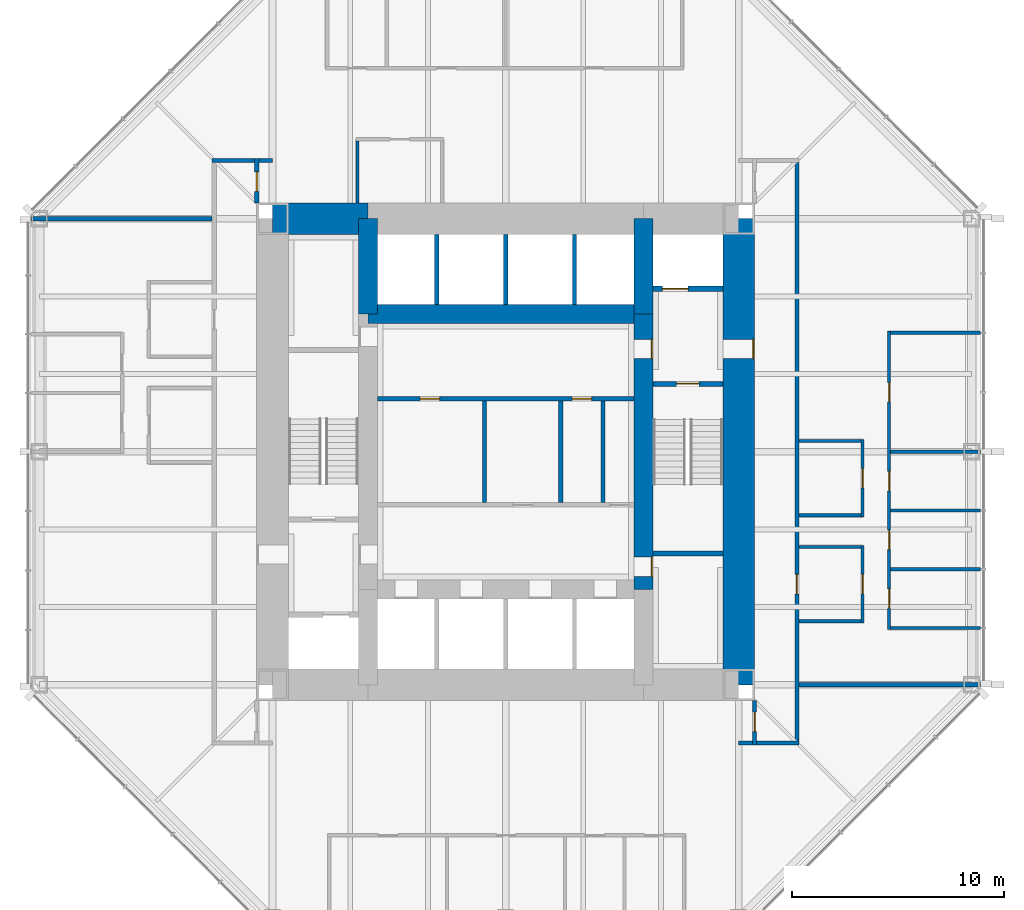
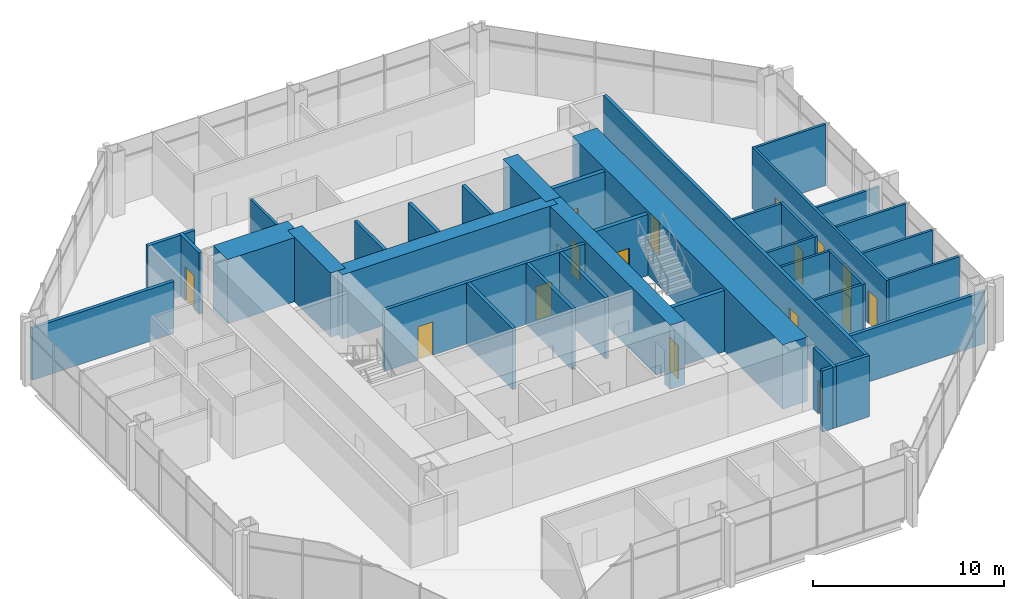
# One storey, part 10 of 12: 36 walls, 16 doors, 16 openings.
"""IFC4 building model written with IfcOpenShell, lengths in metres."""

from ifc_helpers import new_model, si_unit, direction, frame, frame_2d, origin, place, context, subcontext, project, spatial, rectangle, extrude, material, layer, layer_set, type_object, element, fill, save


model = new_model("IFC4")

# Units and contexts
model_context = context("Model", 3, precision=1e-05, world=origin(), true_north=direction((0.0, 1.0)))
body_context = subcontext(model_context, "Body", "Model", "MODEL_VIEW")
ifc_project = project(units=[si_unit("LENGTHUNIT", "METRE"), si_unit("AREAUNIT", "SQUARE_METRE"), si_unit("VOLUMEUNIT", "CUBIC_METRE"), si_unit("PLANEANGLEUNIT", "RADIAN"), si_unit("MASSUNIT", "GRAM", prefix="KILO")], contexts=[model_context])

# Site, building, storey
site_placement = place(None, origin())
site = spatial("IfcSite", under=ifc_project, at=site_placement, CompositionType="ELEMENT")
building_placement = place(site_placement, origin())
building = spatial("IfcBuilding", under=site, at=building_placement, Name="Trevanion Tower", CompositionType="ELEMENT")
storey_placement = place(building_placement, frame((0.0, 0.0, 141.800048828125)))
storey = spatial("IfcBuildingStorey", under=building, at=storey_placement, Name="L33", CompositionType="ELEMENT", Elevation=141.800048828125)

# Wall, opening, door
ifc_material_1 = material(Name="Concrete 10,000 psi", Category="concrete")
ifc_layer_1 = layer(ifc_material_1, 1.5)
ifc_layer_set_1 = layer_set([ifc_layer_1], Name="CW1 core wall 1500")
wall_type_1 = type_object("IfcWallType", Name="CW1 core wall 1500", PredefinedType="SHEAR", material=ifc_layer_set_1)
wall_1_placement = place(storey_placement, frame((11.0, -11.0, 0.0), z_axis=(0.0, 0.0, 1.0), x_axis=(0.0, 1.0, 0.0)))
wall_1 = element("IfcWall", 1, at=wall_1_placement, inside=storey, type_object=wall_type_1, Name="CW1 CE L33", PredefinedType="SHEAR", context=body_context, shape_type="SweptSolid", body=[
    extrude(rectangle(XDim=22.0, YDim=1.5, at=frame_2d((11.0, 0.0))), origin(), (0.0, 0.0, 1.0), 4.099853515625),
])
opening_1_placement = place(wall_1_placement, frame((15.392578125, 0.0, 0.0)))
opening_1 = element("IfcOpeningElement", 2, at=opening_1_placement, cuts=wall_1, Name="Opening 33-001", PredefinedType="OPENING", context=body_context, shape_type="SweptSolid", body=[
    extrude(rectangle(XDim=0.9150390625, YDim=2.134033203125, at=frame_2d((0.45751953125, 1.06689453125))), frame((0.0, 0.760009765625, 0.0), z_axis=(0.0, -1.0, 0.0), x_axis=(1.0, 0.0, 0.0)), (0.0, 0.0, 1.0), 1.52001953125),
])
ifc_material_2 = material(Name="Hollow metal, fire rated", Category="steel")
door_type_1 = type_object("IfcDoorType", Name="D3 fire lift lobby door", OperationType="SINGLE_SWING_RIGHT", PredefinedType="DOOR", material=ifc_material_2)
door_1_placement = place(opening_1_placement, origin())
door_1 = element("IfcDoor", 3, at=door_1_placement, inside=storey, type_object=door_type_1, Name="Door 33-001", OperationType="SINGLE_SWING_RIGHT", OverallHeight=2.134033203125, OverallWidth=0.9150390625, PredefinedType="DOOR", context=body_context, shape_type="SweptSolid", body=[
    extrude(rectangle(XDim=0.9150390625, YDim=2.134033203125, at=frame_2d((0.45751953125, 1.06689453125))), frame((0.0, -0.6748046875, 0.0), z_axis=(0.0, -1.0, 0.0), x_axis=(1.0, 0.0, 0.0)), (0.0, 0.0, 1.0), 0.050048828125),
])
fill(opening_1, door_1)

# Wall
wall_2_placement = place(storey_placement, frame((-6.5, 11.0, 0.0), z_axis=(0.0, 0.0, 1.0), x_axis=(-1.0, 0.0, 0.0)))
element("IfcWall", 4, at=wall_2_placement, inside=storey, type_object=wall_type_1, Name="CW1 CN3 L33", PredefinedType="SHEAR", context=body_context, shape_type="SweptSolid", body=[
    extrude(rectangle(XDim=4.5, YDim=1.5, at=frame_2d((2.25, 0.0))), origin(), (0.0, 0.0, 1.0), 4.099853515625),
])

# Wall, openings, doors
ifc_material_3 = material(Name="Concrete 10,000 psi", Category="concrete")
ifc_layer_2 = layer(ifc_material_3, 0.89990234375)
ifc_layer_set_2 = layer_set([ifc_layer_2], Name="CW2 core wall 900")
wall_type_2 = type_object("IfcWallType", Name="CW2 core wall 900", PredefinedType="SHEAR", material=ifc_layer_set_2)
wall_3_placement = place(storey_placement, frame((6.5, -6.5, 0.0), z_axis=(0.0, 0.0, 1.0), x_axis=(0.0, 1.0, 0.0)))
wall_3 = element("IfcWall", 5, at=wall_3_placement, inside=storey, type_object=wall_type_2, Name="CW2 RE2 L33", PredefinedType="SHEAR", context=body_context, shape_type="SweptSolid", body=[
    extrude(rectangle(XDim=13.0, YDim=0.89990234375, at=frame_2d((6.5, 0.0))), origin(), (0.0, 0.0, 1.0), 4.099853515625),
])
opening_2_placement = place(wall_3_placement, frame((10.892578125, 0.0, 0.0)))
opening_2 = element("IfcOpeningElement", 6, at=opening_2_placement, cuts=wall_3, Name="Opening 33-003", PredefinedType="OPENING", context=body_context, shape_type="SweptSolid", body=[
    extrude(rectangle(XDim=0.9150390625, YDim=2.134033203125, at=frame_2d((0.45751953125, 1.06689453125))), frame((0.0, 0.4599609375, 0.0), z_axis=(0.0, -1.0, 0.0), x_axis=(1.0, 0.0, 0.0)), (0.0, 0.0, 1.0), 0.919921875),
])
opening_3_placement = place(wall_3_placement, frame((0.610107421875, 0.0, 0.0)))
opening_3 = element("IfcOpeningElement", 7, at=opening_3_placement, cuts=wall_3, Name="Opening 33-009", PredefinedType="OPENING", context=body_context, shape_type="SweptSolid", body=[
    extrude(rectangle(XDim=0.9150390625, YDim=2.134033203125, at=frame_2d((0.45751953125, 1.06689453125))), frame((0.0, 0.4599609375, 0.0), z_axis=(0.0, -1.0, 0.0), x_axis=(1.0, 0.0, 0.0)), (0.0, 0.0, 1.0), 0.919921875),
])
door_2_placement = place(opening_2_placement, origin())
door_2 = element("IfcDoor", 8, at=door_2_placement, inside=storey, type_object=door_type_1, Name="Door 33-003", OperationType="SINGLE_SWING_RIGHT", OverallHeight=2.134033203125, OverallWidth=0.9150390625, PredefinedType="DOOR", context=body_context, shape_type="SweptSolid", body=[
    extrude(rectangle(XDim=0.9150390625, YDim=2.134033203125, at=frame_2d((0.45751953125, 1.06689453125))), frame((0.0, -0.375, 0.0), z_axis=(0.0, -1.0, 0.0), x_axis=(1.0, 0.0, 0.0)), (0.0, 0.0, 1.0), 0.050048828125),
])
fill(opening_2, door_2)
ifc_material_4 = material(Name="Hollow metal, fire rated", Category="steel")
door_type_2 = type_object("IfcDoorType", Name="D5 service room door", OperationType="SINGLE_SWING_RIGHT", PredefinedType="DOOR", material=ifc_material_4)
door_3_placement = place(opening_3_placement, origin())
door_3 = element("IfcDoor", 9, at=door_3_placement, inside=storey, type_object=door_type_2, Name="Door 33-009", OperationType="SINGLE_SWING_RIGHT", OverallHeight=2.134033203125, OverallWidth=0.9150390625, PredefinedType="DOOR", context=body_context, shape_type="SweptSolid", body=[
    extrude(rectangle(XDim=0.9150390625, YDim=2.134033203125, at=frame_2d((0.45751953125, 1.06689453125))), frame((0.0, -0.375, 0.0), z_axis=(0.0, -1.0, 0.0), x_axis=(1.0, 0.0, 0.0)), (0.0, 0.0, 1.0), 0.050048828125),
])
fill(opening_3, door_3)

# Walls
for number, where, z_axis, x_axis, name in (
    (10, (6.5, 6.5, 0.0), (0.0, 0.0, 1.0), (0.0, 1.0, 0.0), "CW2 RE3 L33"),
    (11, (-6.5, 11.0, 0.0), (0.0, 0.0, 1.0), (0.0, -1.0, 0.0), "CW2 RW1 L33"),
):
    element("IfcWall", number, at=place(storey_placement, frame(where, z_axis=z_axis, x_axis=x_axis)), inside=storey, type_object=wall_type_2, Name=name, PredefinedType="SHEAR", context=body_context, shape_type="SweptSolid", body=[
        extrude(rectangle(XDim=4.5, YDim=0.89990234375, at=frame_2d((2.25, 0.0))), origin(), (0.0, 0.0, 1.0), 4.099853515625),
    ])
wall_4_placement = place(storey_placement, frame((6.5, 6.5, 0.0), z_axis=(0.0, 0.0, 1.0), x_axis=(-1.0, 0.0, 0.0)))
element("IfcWall", 12, at=wall_4_placement, inside=storey, type_object=wall_type_2, Name="CW2 RN L33", PredefinedType="SHEAR", context=body_context, shape_type="SweptSolid", body=[
    extrude(rectangle(XDim=13.0, YDim=0.89990234375, at=frame_2d((6.5, 0.0))), origin(), (0.0, 0.0, 1.0), 4.099853515625),
])

# Wall, openings, doors
ifc_material_5 = material(Name="Gypsum board on steel studs", Category="steel")
ifc_layer_3 = layer(ifc_material_5, 0.14990234375)
ifc_layer_set_3 = layer_set([ifc_layer_3], Name="PT1 partition 150")
wall_type_3 = type_object("IfcWallType", Name="PT1 partition 150", PredefinedType="PARTITIONING", material=ifc_layer_set_3)
wall_5_placement = place(storey_placement, frame((18.10009765625, -8.39794921875, 0.0), z_axis=(0.0, 0.0, 1.0), x_axis=(0.0, 1.0, 0.0)))
wall_5 = element("IfcWall", 13, at=wall_5_placement, inside=storey, type_object=wall_type_3, Name="PT1 L33 FC0F", PredefinedType="PARTITIONING", context=body_context, shape_type="SweptSolid", body=[
    extrude(rectangle(XDim=14.0869140625, YDim=0.14990234375, at=frame_2d((7.04345703125, 0.0))), origin(), (0.0, 0.0, 1.0), 3.909912109375),
])
opening_4_placement = place(wall_5_placement, frame((1.00439453125, 0.0, 0.0)))
opening_4 = element("IfcOpeningElement", 14, at=opening_4_placement, cuts=wall_5, Name="Opening 33-030", PredefinedType="OPENING", context=body_context, shape_type="SweptSolid", body=[
    extrude(rectangle(XDim=0.9150390625, YDim=2.134033203125, at=frame_2d((0.45751953125, 1.06689453125))), frame((0.0, 0.0849609375, 0.0), z_axis=(0.0, -1.0, 0.0), x_axis=(1.0, 0.0, 0.0)), (0.0, 0.0, 1.0), 0.169921875),
])
opening_5_placement = place(wall_5_placement, frame((3.778564453125, 0.0, 0.0)))
opening_5 = element("IfcOpeningElement", 15, at=opening_5_placement, cuts=wall_5, Name="Opening 33-031", PredefinedType="OPENING", context=body_context, shape_type="SweptSolid", body=[
    extrude(rectangle(XDim=0.9150390625, YDim=2.134033203125, at=frame_2d((0.45751953125, 1.06689453125))), frame((0.0, 0.0849609375, 0.0), z_axis=(0.0, -1.0, 0.0), x_axis=(1.0, 0.0, 0.0)), (0.0, 0.0, 1.0), 0.169921875),
])
opening_6_placement = place(wall_5_placement, frame((6.552978515625, 0.0, 0.0)))
opening_6 = element("IfcOpeningElement", 16, at=opening_6_placement, cuts=wall_5, Name="Opening 33-032", PredefinedType="OPENING", context=body_context, shape_type="SweptSolid", body=[
    extrude(rectangle(XDim=0.9150390625, YDim=2.134033203125, at=frame_2d((0.45751953125, 1.06689453125))), frame((0.0, 0.0849609375, 0.0), z_axis=(0.0, -1.0, 0.0), x_axis=(1.0, 0.0, 0.0)), (0.0, 0.0, 1.0), 0.169921875),
])
opening_7_placement = place(wall_5_placement, frame((10.74755859375, 0.0, 0.0)))
opening_7 = element("IfcOpeningElement", 17, at=opening_7_placement, cuts=wall_5, Name="Opening 33-033", PredefinedType="OPENING", context=body_context, shape_type="SweptSolid", body=[
    extrude(rectangle(XDim=0.9150390625, YDim=2.134033203125, at=frame_2d((0.45751953125, 1.06689453125))), frame((0.0, 0.0849609375, 0.0), z_axis=(0.0, -1.0, 0.0), x_axis=(1.0, 0.0, 0.0)), (0.0, 0.0, 1.0), 0.169921875),
])
ifc_material_6 = material(Name="Timber veneer, solid core", Category="wood")
door_type_3 = type_object("IfcDoorType", Name="D1 office and meeting room door", OperationType="SINGLE_SWING_LEFT", PredefinedType="DOOR", material=ifc_material_6)
door_4_placement = place(opening_4_placement, origin())
door_4 = element("IfcDoor", 18, at=door_4_placement, inside=storey, type_object=door_type_3, Name="Door 33-030", OperationType="SINGLE_SWING_LEFT", OverallHeight=2.134033203125, OverallWidth=0.9150390625, PredefinedType="DOOR", context=body_context, shape_type="SweptSolid", body=[
    extrude(rectangle(XDim=0.9150390625, YDim=2.134033203125, at=frame_2d((0.45751953125, 1.06689453125))), frame((0.0, 0.02490234375, 0.0), z_axis=(0.0, -1.0, 0.0), x_axis=(1.0, 0.0, 0.0)), (0.0, 0.0, 1.0), 0.050048828125),
])
fill(opening_4, door_4)
door_5_placement = place(opening_5_placement, origin())
door_5 = element("IfcDoor", 19, at=door_5_placement, inside=storey, type_object=door_type_3, Name="Door 33-031", OperationType="SINGLE_SWING_LEFT", OverallHeight=2.134033203125, OverallWidth=0.9150390625, PredefinedType="DOOR", context=body_context, shape_type="SweptSolid", body=[
    extrude(rectangle(XDim=0.9150390625, YDim=2.134033203125, at=frame_2d((0.45751953125, 1.06689453125))), frame((0.0, 0.02490234375, 0.0), z_axis=(0.0, -1.0, 0.0), x_axis=(1.0, 0.0, 0.0)), (0.0, 0.0, 1.0), 0.050048828125),
])
fill(opening_5, door_5)
door_6_placement = place(opening_6_placement, origin())
door_6 = element("IfcDoor", 20, at=door_6_placement, inside=storey, type_object=door_type_3, Name="Door 33-032", OperationType="SINGLE_SWING_LEFT", OverallHeight=2.134033203125, OverallWidth=0.9150390625, PredefinedType="DOOR", context=body_context, shape_type="SweptSolid", body=[
    extrude(rectangle(XDim=0.9150390625, YDim=2.134033203125, at=frame_2d((0.45751953125, 1.06689453125))), frame((0.0, 0.02490234375, 0.0), z_axis=(0.0, -1.0, 0.0), x_axis=(1.0, 0.0, 0.0)), (0.0, 0.0, 1.0), 0.050048828125),
])
fill(opening_6, door_6)
door_7_placement = place(opening_7_placement, origin())
door_7 = element("IfcDoor", 21, at=door_7_placement, inside=storey, type_object=door_type_3, Name="Door 33-033", OperationType="SINGLE_SWING_LEFT", OverallHeight=2.134033203125, OverallWidth=0.9150390625, PredefinedType="DOOR", context=body_context, shape_type="SweptSolid", body=[
    extrude(rectangle(XDim=0.9150390625, YDim=2.134033203125, at=frame_2d((0.45751953125, 1.06689453125))), frame((0.0, 0.02490234375, 0.0), z_axis=(0.0, -1.0, 0.0), x_axis=(1.0, 0.0, 0.0)), (0.0, 0.0, 1.0), 0.050048828125),
])
fill(opening_7, door_7)

# Walls
for number, where, z_axis, x_axis, name in (
    (22, (18.175048828125, -8.322998046875, 0.0), (0.0, 0.0, 1.0), (1.0, 0.0, 0.0), "PT1 L33 FC0S0"),
    (23, (18.175048828125, -5.549072265625, 0.0), (0.0, 0.0, 1.0), (1.0, 0.0, 0.0), "PT1 L33 FC0S1"),
    (24, (18.175048828125, -2.77490234375, 0.0), (0.0, 0.0, 1.0), (1.0, 0.0, 0.0), "PT1 L33 FC0S2"),
):
    element("IfcWall", number, at=place(storey_placement, frame(where, z_axis=z_axis, x_axis=x_axis)), inside=storey, type_object=wall_type_3, Name=name, PredefinedType="PARTITIONING", context=body_context, shape_type="SweptSolid", body=[
        extrude(rectangle(XDim=4.239990234375, YDim=0.14990234375, at=frame_2d((2.1201171875, 0.0))), origin(), (0.0, 0.0, 1.0), 3.909912109375),
    ])
wall_6_placement = place(storey_placement, frame((18.175048828125, 0.0, 0.0), z_axis=(0.0, 0.0, 1.0), x_axis=(1.0, 0.0, 0.0)))
element("IfcWall", 25, at=wall_6_placement, inside=storey, type_object=wall_type_3, Name="PT1 L33 FC0S3", PredefinedType="PARTITIONING", context=body_context, shape_type="SweptSolid", body=[
    extrude(rectangle(XDim=4.239990234375, YDim=0.14990234375, at=frame_2d((2.1201171875, 0.0))), origin(), (0.0, 0.0, 1.0), 3.32568359375),
])
wall_7_placement = place(storey_placement, frame((18.175048828125, 5.614013671875, 0.0), z_axis=(0.0, 0.0, 1.0), x_axis=(1.0, 0.0, 0.0)))
element("IfcWall", 26, at=wall_7_placement, inside=storey, type_object=wall_type_3, Name="PT1 L33 FC0S5", PredefinedType="PARTITIONING", context=body_context, shape_type="SweptSolid", body=[
    extrude(rectangle(XDim=4.239990234375, YDim=0.14990234375, at=frame_2d((2.1201171875, 0.0))), origin(), (0.0, 0.0, 1.0), 3.909912109375),
])

# Wall, opening, door
wall_8_placement = place(storey_placement, frame((16.85009765625, -8.074951171875, 0.0), z_axis=(0.0, 0.0, 1.0), x_axis=(0.0, 1.0, 0.0)))
wall_8 = element("IfcWall", 27, at=wall_8_placement, inside=storey, type_object=wall_type_3, Name="PT1 L33 IN00F", PredefinedType="PARTITIONING", context=body_context, shape_type="SweptSolid", body=[
    extrude(rectangle(XDim=3.64990234375, YDim=0.14990234375, at=frame_2d((1.824951171875, 0.0))), origin(), (0.0, 0.0, 1.0), 3.909912109375),
])
opening_8_placement = place(wall_8_placement, frame((1.367431640625, 0.0, 0.0)))
opening_8 = element("IfcOpeningElement", 28, at=opening_8_placement, cuts=wall_8, Name="Opening 33-036", PredefinedType="OPENING", context=body_context, shape_type="SweptSolid", body=[
    extrude(rectangle(XDim=0.9150390625, YDim=2.134033203125, at=frame_2d((0.45751953125, 1.06689453125))), frame((0.0, 0.0849609375, 0.0), z_axis=(0.0, -1.0, 0.0), x_axis=(1.0, 0.0, 0.0)), (0.0, 0.0, 1.0), 0.169921875),
])
door_8_placement = place(opening_8_placement, origin())
door_8 = element("IfcDoor", 29, at=door_8_placement, inside=storey, type_object=door_type_3, Name="Door 33-036", OperationType="SINGLE_SWING_LEFT", OverallHeight=2.134033203125, OverallWidth=0.9150390625, PredefinedType="DOOR", context=body_context, shape_type="SweptSolid", body=[
    extrude(rectangle(XDim=0.9150390625, YDim=2.134033203125, at=frame_2d((0.45751953125, 1.06689453125))), frame((0.0, 0.02490234375, 0.0), z_axis=(0.0, -1.0, 0.0), x_axis=(1.0, 0.0, 0.0)), (0.0, 0.0, 1.0), 0.050048828125),
])
fill(opening_8, door_8)

# Walls
for number, where, z_axis, x_axis, name in (
    (30, (16.77490234375, -8.0, 0.0), (0.0, 0.0, 1.0), (-1.0, 0.0, 0.0), "PT1 L33 IN00S0"),
    (31, (16.77490234375, -4.5, 0.0), (0.0, 0.0, 1.0), (-1.0, 0.0, 0.0), "PT1 L33 IN00S1"),
):
    element("IfcWall", number, at=place(storey_placement, frame(where, z_axis=z_axis, x_axis=x_axis)), inside=storey, type_object=wall_type_3, Name=name, PredefinedType="PARTITIONING", context=body_context, shape_type="SweptSolid", body=[
        extrude(rectangle(XDim=2.9248046875, YDim=0.14990234375, at=frame_2d((1.46240234375, 0.0))), origin(), (0.0, 0.0, 1.0), 3.909912109375),
    ])

# Wall, opening, door
wall_9_placement = place(storey_placement, frame((16.85009765625, -3.074951171875, 0.0), z_axis=(0.0, 0.0, 1.0), x_axis=(0.0, 1.0, 0.0)))
wall_9 = element("IfcWall", 32, at=wall_9_placement, inside=storey, type_object=wall_type_3, Name="PT1 L33 IN01F", PredefinedType="PARTITIONING", context=body_context, shape_type="SweptSolid", body=[
    extrude(rectangle(XDim=3.64990234375, YDim=0.14990234375, at=frame_2d((1.824951171875, 0.0))), origin(), (0.0, 0.0, 1.0), 3.909912109375),
])
opening_9_placement = place(wall_9_placement, frame((1.367431640625, 0.0, 0.0)))
opening_9 = element("IfcOpeningElement", 33, at=opening_9_placement, cuts=wall_9, Name="Opening 33-038", PredefinedType="OPENING", context=body_context, shape_type="SweptSolid", body=[
    extrude(rectangle(XDim=0.9150390625, YDim=2.134033203125, at=frame_2d((0.45751953125, 1.06689453125))), frame((0.0, 0.0849609375, 0.0), z_axis=(0.0, -1.0, 0.0), x_axis=(1.0, 0.0, 0.0)), (0.0, 0.0, 1.0), 0.169921875),
])
door_9_placement = place(opening_9_placement, origin())
door_9 = element("IfcDoor", 34, at=door_9_placement, inside=storey, type_object=door_type_3, Name="Door 33-038", OperationType="SINGLE_SWING_LEFT", OverallHeight=2.134033203125, OverallWidth=0.9150390625, PredefinedType="DOOR", context=body_context, shape_type="SweptSolid", body=[
    extrude(rectangle(XDim=0.9150390625, YDim=2.134033203125, at=frame_2d((0.45751953125, 1.06689453125))), frame((0.0, 0.02490234375, 0.0), z_axis=(0.0, -1.0, 0.0), x_axis=(1.0, 0.0, 0.0)), (0.0, 0.0, 1.0), 0.050048828125),
])
fill(opening_9, door_9)

# Walls
for number, where, z_axis, x_axis, name in (
    (35, (16.77490234375, -3.0, 0.0), (0.0, 0.0, 1.0), (-1.0, 0.0, 0.0), "PT1 L33 IN01S0"),
    (36, (16.77490234375, 0.5, 0.0), (0.0, 0.0, 1.0), (-1.0, 0.0, 0.0), "PT1 L33 IN01S1"),
):
    element("IfcWall", number, at=place(storey_placement, frame(where, z_axis=z_axis, x_axis=x_axis)), inside=storey, type_object=wall_type_3, Name=name, PredefinedType="PARTITIONING", context=body_context, shape_type="SweptSolid", body=[
        extrude(rectangle(XDim=2.9248046875, YDim=0.14990234375, at=frame_2d((1.46240234375, 0.0))), origin(), (0.0, 0.0, 1.0), 3.909912109375),
    ])
wall_10_placement = place(storey_placement, frame((-7.0, 14.675048828125, 0.0), z_axis=(0.0, 0.0, 1.0), x_axis=(0.0, -1.0, 0.0)))
element("IfcWall", 37, at=wall_10_placement, inside=storey, type_object=wall_type_3, Name="PT1 L33 IN10S1", PredefinedType="PARTITIONING", context=body_context, shape_type="SweptSolid", body=[
    extrude(rectangle(XDim=2.925048828125, YDim=0.14990234375, at=frame_2d((1.46240234375, 0.0))), origin(), (0.0, 0.0, 1.0), 3.909912109375),
])
ifc_material_7 = material(Name="Concrete masonry, grouted", Category="masonry")
ifc_layer_4 = layer(ifc_material_7, 0.199951171875)
ifc_layer_set_4 = layer_set([ifc_layer_4], Name="PT2 partition 200")
wall_type_4 = type_object("IfcWallType", Name="PT2 partition 200", PredefinedType="PARTITIONING", material=ifc_layer_set_4)
for number, where, z_axis, x_axis, name in (
    (38, (-1.0, -2.39990234375, 0.0), (0.0, 0.0, 1.0), (0.0, 1.0, 0.0), "PT2 L33 TP1"),
    (39, (2.60009765625, -2.39990234375, 0.0), (0.0, 0.0, 1.0), (0.0, 1.0, 0.0), "PT2 L33 TP2"),
    (40, (4.60009765625, -2.39990234375, 0.0), (0.0, 0.0, 1.0), (0.0, 1.0, 0.0), "PT2 L33 TP3"),
):
    element("IfcWall", number, at=place(storey_placement, frame(where, z_axis=z_axis, x_axis=x_axis)), inside=storey, type_object=wall_type_4, Name=name, PredefinedType="PARTITIONING", context=body_context, shape_type="SweptSolid", body=[
        extrude(rectangle(XDim=4.7998046875, YDim=0.199951171875, at=frame_2d((2.39990234375, 0.0))), origin(), (0.0, 0.0, 1.0), 3.909912109375),
    ])

# Wall, openings, doors
ifc_material_8 = material(Name="Concrete masonry, grouted", Category="masonry")
ifc_layer_5 = layer(ifc_material_8, 0.199951171875)
ifc_layer_set_5 = layer_set([ifc_layer_5], Name="PT2 partition 200 1 HR")
wall_type_5 = type_object("IfcWallType", Name="PT2 partition 200 1 HR", PredefinedType="PARTITIONING", material=ifc_layer_set_5)
wall_11_placement = place(storey_placement, frame((-6.050048828125, 2.5, 0.0), z_axis=(0.0, 0.0, 1.0), x_axis=(1.0, 0.0, 0.0)))
wall_11 = element("IfcWall", 41, at=wall_11_placement, inside=storey, type_object=wall_type_5, Name="PT2 L33 CP1", PredefinedType="PARTITIONING", context=body_context, shape_type="SweptSolid", body=[
    extrude(rectangle(XDim=12.10009765625, YDim=0.199951171875, at=frame_2d((6.050048828125, 0.0))), origin(), (0.0, 0.0, 1.0), 3.909912109375),
])
opening_10_placement = place(wall_11_placement, frame((2.017578125, 0.0, 0.0)))
opening_10 = element("IfcOpeningElement", 42, at=opening_10_placement, cuts=wall_11, Name="Opening 33-015", PredefinedType="OPENING", context=body_context, shape_type="SweptSolid", body=[
    extrude(rectangle(XDim=0.9150390625, YDim=2.134033203125, at=frame_2d((0.45751953125, 1.06689453125))), frame((0.0, 0.10986328125, 0.0), z_axis=(0.0, -1.0, 0.0), x_axis=(1.0, 0.0, 0.0)), (0.0, 0.0, 1.0), 0.219970703125),
])
opening_11_placement = place(wall_11_placement, frame((9.1923828125, 0.0, 0.0)))
opening_11 = element("IfcOpeningElement", 43, at=opening_11_placement, cuts=wall_11, Name="Opening 33-017", PredefinedType="OPENING", context=body_context, shape_type="SweptSolid", body=[
    extrude(rectangle(XDim=0.9150390625, YDim=2.134033203125, at=frame_2d((0.45751953125, 1.06689453125))), frame((0.0, 0.10986328125, 0.0), z_axis=(0.0, -1.0, 0.0), x_axis=(1.0, 0.0, 0.0)), (0.0, 0.0, 1.0), 0.219970703125),
])
ifc_material_9 = material(Name="Plastic laminate on fire-rated core", Category="wood")
door_type_4 = type_object("IfcDoorType", Name="D12 toilet door in a one hour wall", OperationType="SINGLE_SWING_LEFT", PredefinedType="DOOR", material=ifc_material_9)
door_10_placement = place(opening_10_placement, origin())
door_10 = element("IfcDoor", 44, at=door_10_placement, inside=storey, type_object=door_type_4, Name="Door 33-015", OperationType="SINGLE_SWING_LEFT", OverallHeight=2.134033203125, OverallWidth=0.9150390625, PredefinedType="DOOR", context=body_context, shape_type="SweptSolid", body=[
    extrude(rectangle(XDim=0.9150390625, YDim=2.134033203125, at=frame_2d((0.45751953125, 1.06689453125))), frame((0.0, 0.02490234375, 0.0), z_axis=(0.0, -1.0, 0.0), x_axis=(1.0, 0.0, 0.0)), (0.0, 0.0, 1.0), 0.050048828125),
])
fill(opening_10, door_10)
door_11_placement = place(opening_11_placement, origin())
door_11 = element("IfcDoor", 45, at=door_11_placement, inside=storey, type_object=door_type_4, Name="Door 33-017", OperationType="SINGLE_SWING_LEFT", OverallHeight=2.134033203125, OverallWidth=0.9150390625, PredefinedType="DOOR", context=body_context, shape_type="SweptSolid", body=[
    extrude(rectangle(XDim=0.9150390625, YDim=2.134033203125, at=frame_2d((0.45751953125, 1.06689453125))), frame((0.0, 0.02490234375, 0.0), z_axis=(0.0, -1.0, 0.0), x_axis=(1.0, 0.0, 0.0)), (0.0, 0.0, 1.0), 0.050048828125),
])
fill(opening_11, door_11)

# Wall, opening, door
wall_12_placement = place(storey_placement, frame((13.75, -13.85009765625, 0.0), z_axis=(0.0, 0.0, 1.0), x_axis=(0.0, 1.0, 0.0)))
wall_12 = element("IfcWall", 46, at=wall_12_placement, inside=storey, type_object=wall_type_5, Name="PT2 L33 OC0", PredefinedType="PARTITIONING", context=body_context, shape_type="SweptSolid", body=[
    extrude(rectangle(XDim=27.5, YDim=0.199951171875, at=frame_2d((13.75, 0.0))), origin(), (0.0, 0.0, 1.0), 3.909912109375),
])
opening_12_placement = place(wall_12_placement, frame((7.142578125, 0.0, 0.0)))
opening_12 = element("IfcOpeningElement", 47, at=opening_12_placement, cuts=wall_12, Name="Opening 33-037", PredefinedType="OPENING", context=body_context, shape_type="SweptSolid", body=[
    extrude(rectangle(XDim=0.9150390625, YDim=2.134033203125, at=frame_2d((0.45751953125, 1.06689453125))), frame((0.0, 0.10986328125, 0.0), z_axis=(0.0, -1.0, 0.0), x_axis=(1.0, 0.0, 0.0)), (0.0, 0.0, 1.0), 0.219970703125),
])
ifc_material_10 = material(Name="Timber veneer, fire rated", Category="wood")
door_type_5 = type_object("IfcDoorType", Name="D10 office door in a one hour wall", OperationType="SINGLE_SWING_LEFT", PredefinedType="DOOR", material=ifc_material_10)
door_12_placement = place(opening_12_placement, origin())
door_12 = element("IfcDoor", 48, at=door_12_placement, inside=storey, type_object=door_type_5, Name="Door 33-037", OperationType="SINGLE_SWING_LEFT", OverallHeight=2.134033203125, OverallWidth=0.9150390625, PredefinedType="DOOR", context=body_context, shape_type="SweptSolid", body=[
    extrude(rectangle(XDim=0.9150390625, YDim=2.134033203125, at=frame_2d((0.45751953125, 1.06689453125))), frame((0.0, 0.02490234375, 0.0), z_axis=(0.0, -1.0, 0.0), x_axis=(1.0, 0.0, 0.0)), (0.0, 0.0, 1.0), 0.050048828125),
])
fill(opening_12, door_12)

wall_13_placement = place(storey_placement, frame((-11.75, 11.75, 0.0), z_axis=(0.0, 0.0, 1.0), x_axis=(0.0, 1.0, 0.0)))
wall_13 = element("IfcWall", 49, at=wall_13_placement, inside=storey, type_object=wall_type_5, Name="PT2 L33 OUNW1", PredefinedType="PARTITIONING", context=body_context, shape_type="SweptSolid", body=[
    extrude(rectangle(XDim=2.10009765625, YDim=0.199951171875, at=frame_2d((1.050048828125, 0.0))), origin(), (0.0, 0.0, 1.0), 3.909912109375),
])
opening_13_placement = place(wall_13_placement, frame((0.54248046875, 0.0, 0.0)))
opening_13 = element("IfcOpeningElement", 50, at=opening_13_placement, cuts=wall_13, Name="Opening 33-020", PredefinedType="OPENING", context=body_context, shape_type="SweptSolid", body=[
    extrude(rectangle(XDim=0.9150390625, YDim=2.134033203125, at=frame_2d((0.45751953125, 1.06689453125))), frame((0.0, 0.10986328125, 0.0), z_axis=(0.0, -1.0, 0.0), x_axis=(1.0, 0.0, 0.0)), (0.0, 0.0, 1.0), 0.219970703125),
])
door_13_placement = place(opening_13_placement, origin())
door_13 = element("IfcDoor", 51, at=door_13_placement, inside=storey, type_object=door_type_5, Name="Door 33-020", OperationType="SINGLE_SWING_LEFT", OverallHeight=2.134033203125, OverallWidth=0.9150390625, PredefinedType="DOOR", context=body_context, shape_type="SweptSolid", body=[
    extrude(rectangle(XDim=0.9150390625, YDim=2.134033203125, at=frame_2d((0.45751953125, 1.06689453125))), frame((0.0, 0.02490234375, 0.0), z_axis=(0.0, -1.0, 0.0), x_axis=(1.0, 0.0, 0.0)), (0.0, 0.0, 1.0), 0.050048828125),
])
fill(opening_13, door_13)

# Wall
wall_14_placement = place(storey_placement, frame((-11.0, 13.75, 0.0), z_axis=(0.0, 0.0, 1.0), x_axis=(-1.0, 0.0, 0.0)))
element("IfcWall", 52, at=wall_14_placement, inside=storey, type_object=wall_type_5, Name="PT2 L33 OUNW2", PredefinedType="PARTITIONING", context=body_context, shape_type="SweptSolid", body=[
    extrude(rectangle(XDim=2.85009765625, YDim=0.199951171875, at=frame_2d((1.425048828125, 0.0))), origin(), (0.0, 0.0, 1.0), 3.909912109375),
])

# Wall, opening, door
wall_15_placement = place(storey_placement, frame((11.75, -11.75, 0.0), z_axis=(0.0, 0.0, 1.0), x_axis=(0.0, -1.0, 0.0)))
wall_15 = element("IfcWall", 53, at=wall_15_placement, inside=storey, type_object=wall_type_5, Name="PT2 L33 OUSE1", PredefinedType="PARTITIONING", context=body_context, shape_type="SweptSolid", body=[
    extrude(rectangle(XDim=2.10009765625, YDim=0.199951171875, at=frame_2d((1.050048828125, 0.0))), origin(), (0.0, 0.0, 1.0), 3.909912109375),
])
opening_14_placement = place(wall_15_placement, frame((0.54248046875, 0.0, 0.0)))
opening_14 = element("IfcOpeningElement", 54, at=opening_14_placement, cuts=wall_15, Name="Opening 33-021", PredefinedType="OPENING", context=body_context, shape_type="SweptSolid", body=[
    extrude(rectangle(XDim=0.9150390625, YDim=2.134033203125, at=frame_2d((0.45751953125, 1.06689453125))), frame((0.0, 0.10986328125, 0.0), z_axis=(0.0, -1.0, 0.0), x_axis=(1.0, 0.0, 0.0)), (0.0, 0.0, 1.0), 0.219970703125),
])
door_14_placement = place(opening_14_placement, origin())
door_14 = element("IfcDoor", 55, at=door_14_placement, inside=storey, type_object=door_type_5, Name="Door 33-021", OperationType="SINGLE_SWING_LEFT", OverallHeight=2.134033203125, OverallWidth=0.9150390625, PredefinedType="DOOR", context=body_context, shape_type="SweptSolid", body=[
    extrude(rectangle(XDim=0.9150390625, YDim=2.134033203125, at=frame_2d((0.45751953125, 1.06689453125))), frame((0.0, 0.02490234375, 0.0), z_axis=(0.0, -1.0, 0.0), x_axis=(1.0, 0.0, 0.0)), (0.0, 0.0, 1.0), 0.050048828125),
])
fill(opening_14, door_14)

# Walls
wall_16_placement = place(storey_placement, frame((11.0, -13.75, 0.0), z_axis=(0.0, 0.0, 1.0), x_axis=(1.0, 0.0, 0.0)))
element("IfcWall", 56, at=wall_16_placement, inside=storey, type_object=wall_type_5, Name="PT2 L33 OUSE2", PredefinedType="PARTITIONING", context=body_context, shape_type="SweptSolid", body=[
    extrude(rectangle(XDim=2.85009765625, YDim=0.199951171875, at=frame_2d((1.425048828125, 0.0))), origin(), (0.0, 0.0, 1.0), 3.909912109375),
])
for number, where, z_axis, x_axis, name in (
    (57, (-13.85009765625, 11.0, 0.0), (0.0, 0.0, 1.0), (-1.0, 0.0, 0.0), "PT2 L33 DM1"),
    (58, (13.85009765625, -11.0, 0.0), (0.0, 0.0, 1.0), (1.0, 0.0, 0.0), "PT2 L33 DM3"),
):
    element("IfcWall", number, at=place(storey_placement, frame(where, z_axis=z_axis, x_axis=x_axis)), inside=storey, type_object=wall_type_5, Name=name, PredefinedType="PARTITIONING", context=body_context, shape_type="SweptSolid", body=[
        extrude(rectangle(XDim=8.56494140625, YDim=0.199951171875, at=frame_2d((4.282470703125, 0.0))), origin(), (0.0, 0.0, 1.0), 3.32568359375),
    ])
ifc_material_11 = material(Name="Concrete masonry, grouted", Category="masonry")
ifc_layer_6 = layer(ifc_material_11, 0.199951171875)
ifc_layer_set_6 = layer_set([ifc_layer_6], Name="PT2 partition 200 2 HR")
wall_type_6 = type_object("IfcWallType", Name="PT2 partition 200 2 HR", PredefinedType="PARTITIONING", material=ifc_layer_set_6)
for number, where, z_axis, x_axis, name in (
    (59, (-3.25, 6.949951171875, 0.0), (0.0, 0.0, 1.0), (0.0, 1.0, 0.0), "PT2 L33 NS0"),
    (60, (0.0, 6.949951171875, 0.0), (0.0, 0.0, 1.0), (0.0, 1.0, 0.0), "PT2 L33 NS1"),
    (61, (3.25, 6.949951171875, 0.0), (0.0, 0.0, 1.0), (0.0, 1.0, 0.0), "PT2 L33 NS2"),
):
    element("IfcWall", number, at=place(storey_placement, frame(where, z_axis=z_axis, x_axis=x_axis)), inside=storey, type_object=wall_type_6, Name=name, PredefinedType="PARTITIONING", context=body_context, shape_type="SweptSolid", body=[
        extrude(rectangle(XDim=3.300048828125, YDim=0.199951171875, at=frame_2d((1.64990234375, 0.0))), origin(), (0.0, 0.0, 1.0), 3.909912109375),
    ])

# Wall, opening, door
ifc_material_12 = material(Name="Concrete masonry, grouted, two-hour", Category="masonry")
ifc_layer_7 = layer(ifc_material_12, 0.25)
ifc_layer_set_7 = layer_set([ifc_layer_7], Name="PT3 partition 250 2 HR")
wall_type_7 = type_object("IfcWallType", Name="PT3 partition 250 2 HR", PredefinedType="PARTITIONING", material=ifc_layer_set_7)
wall_17_placement = place(storey_placement, frame((6.949951171875, 7.699951171875, 0.0), z_axis=(0.0, 0.0, 1.0), x_axis=(1.0, 0.0, 0.0)))
wall_17 = element("IfcWall", 62, at=wall_17_placement, inside=storey, type_object=wall_type_7, Name="PT3 L33 EP3", PredefinedType="PARTITIONING", context=body_context, shape_type="SweptSolid", body=[
    extrude(rectangle(XDim=3.300048828125, YDim=0.25, at=frame_2d((1.64990234375, 0.0))), origin(), (0.0, 0.0, 1.0), 3.909912109375),
])
opening_15_placement = place(wall_17_placement, frame((0.449951171875, 0.0, 0.0)))
opening_15 = element("IfcOpeningElement", 63, at=opening_15_placement, cuts=wall_17, Name="Opening 33-007", PredefinedType="OPENING", context=body_context, shape_type="SweptSolid", body=[
    extrude(rectangle(XDim=1.218994140625, YDim=2.134033203125, at=frame_2d((0.609375, 1.06689453125))), frame((0.0, 0.135009765625, 0.0), z_axis=(0.0, -1.0, 0.0), x_axis=(1.0, 0.0, 0.0)), (0.0, 0.0, 1.0), 0.27001953125),
])
ifc_material_13 = material(Name="Stainless steel, fire rated", Category="steel")
door_type_6 = type_object("IfcDoorType", Name="LD2 fire service lift landing door", OperationType="SLIDING_TO_LEFT", PredefinedType="DOOR", material=ifc_material_13)
door_15_placement = place(opening_15_placement, origin())
door_15 = element("IfcDoor", 64, at=door_15_placement, inside=storey, type_object=door_type_6, Name="Door 33-007", OperationType="SLIDING_TO_LEFT", OverallHeight=2.134033203125, OverallWidth=1.218994140625, PredefinedType="DOOR", context=body_context, shape_type="SweptSolid", body=[
    extrude(rectangle(XDim=1.218994140625, YDim=2.134033203125, at=frame_2d((0.609375, 1.06689453125))), frame((0.0, 0.02490234375, 0.0), z_axis=(0.0, -1.0, 0.0), x_axis=(1.0, 0.0, 0.0)), (0.0, 0.0, 1.0), 0.050048828125),
])
fill(opening_15, door_15)

# Wall
ifc_material_14 = material(Name="Reinforced masonry, fully grouted", Category="masonry")
ifc_layer_8 = layer(ifc_material_14, 0.25)
ifc_layer_set_8 = layer_set([ifc_layer_8], Name="SW1 stair shaft wall 250")
wall_type_8 = type_object("IfcWallType", Name="SW1 stair shaft wall 250", PredefinedType="SOLIDWALL", material=ifc_layer_set_8)
wall_18_placement = place(storey_placement, frame((6.949951171875, -4.800048828125, 0.0), z_axis=(0.0, 0.0, 1.0), x_axis=(1.0, 0.0, 0.0)))
element("IfcWall", 65, at=wall_18_placement, inside=storey, type_object=wall_type_8, Name="SW1 L33 EP1", PredefinedType="SOLIDWALL", context=body_context, shape_type="SweptSolid", body=[
    extrude(rectangle(XDim=3.300048828125, YDim=0.25, at=frame_2d((1.64990234375, 0.0))), origin(), (0.0, 0.0, 1.0), 3.909912109375),
])

# Wall, opening, door
wall_19_placement = place(storey_placement, frame((6.949951171875, 3.199951171875, 0.0), z_axis=(0.0, 0.0, 1.0), x_axis=(1.0, 0.0, 0.0)))
wall_19 = element("IfcWall", 66, at=wall_19_placement, inside=storey, type_object=wall_type_8, Name="SW1 L33 EP2", PredefinedType="SOLIDWALL", context=body_context, shape_type="SweptSolid", body=[
    extrude(rectangle(XDim=3.300048828125, YDim=0.25, at=frame_2d((1.64990234375, 0.0))), origin(), (0.0, 0.0, 1.0), 3.909912109375),
])
opening_16_placement = place(wall_19_placement, frame((1.116455078125, 0.0, 0.0)))
opening_16 = element("IfcOpeningElement", 67, at=opening_16_placement, cuts=wall_19, Name="Opening 33-005", PredefinedType="OPENING", context=body_context, shape_type="SweptSolid", body=[
    extrude(rectangle(XDim=1.06689453125, YDim=2.134033203125, at=frame_2d((0.533447265625, 1.06689453125))), frame((0.0, 0.135009765625, 0.0), z_axis=(0.0, -1.0, 0.0), x_axis=(1.0, 0.0, 0.0)), (0.0, 0.0, 1.0), 0.27001953125),
])
ifc_material_15 = material(Name="Hollow metal, fire rated", Category="steel")
door_type_7 = type_object("IfcDoorType", Name="D2 exit stair door", OperationType="SINGLE_SWING_LEFT", PredefinedType="DOOR", material=ifc_material_15)
door_16_placement = place(opening_16_placement, origin())
door_16 = element("IfcDoor", 68, at=door_16_placement, inside=storey, type_object=door_type_7, Name="Door 33-005", OperationType="SINGLE_SWING_LEFT", OverallHeight=2.134033203125, OverallWidth=1.06689453125, PredefinedType="DOOR", context=body_context, shape_type="SweptSolid", body=[
    extrude(rectangle(XDim=1.06689453125, YDim=2.134033203125, at=frame_2d((0.533447265625, 1.06689453125))), frame((0.0, 0.02490234375, 0.0), z_axis=(0.0, -1.0, 0.0), x_axis=(1.0, 0.0, 0.0)), (0.0, 0.0, 1.0), 0.050048828125),
])
fill(opening_16, door_16)

save(model, "model.ifc")
